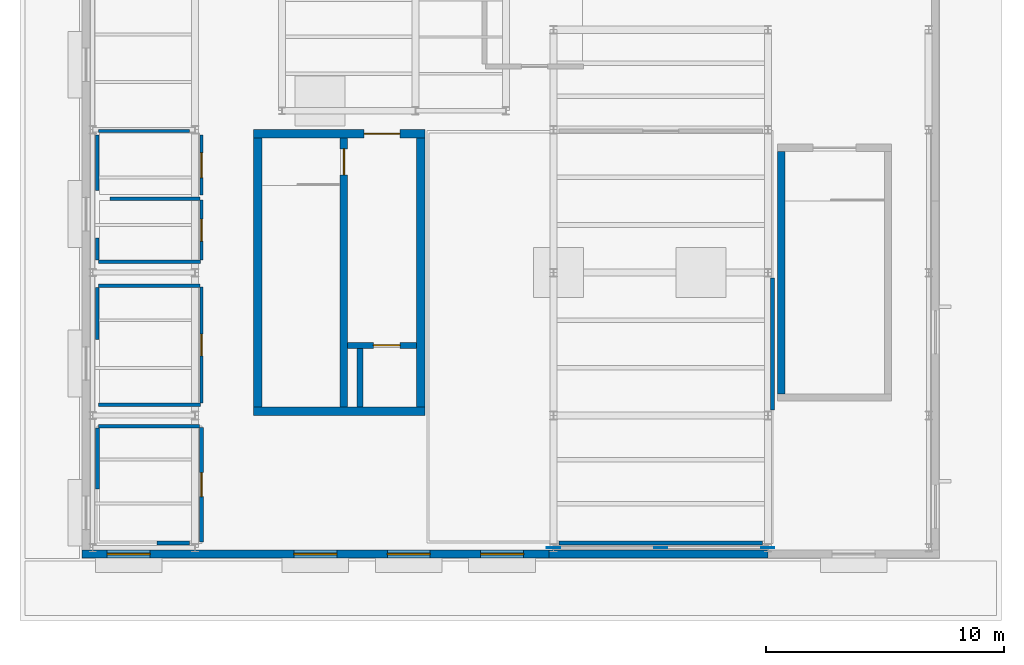
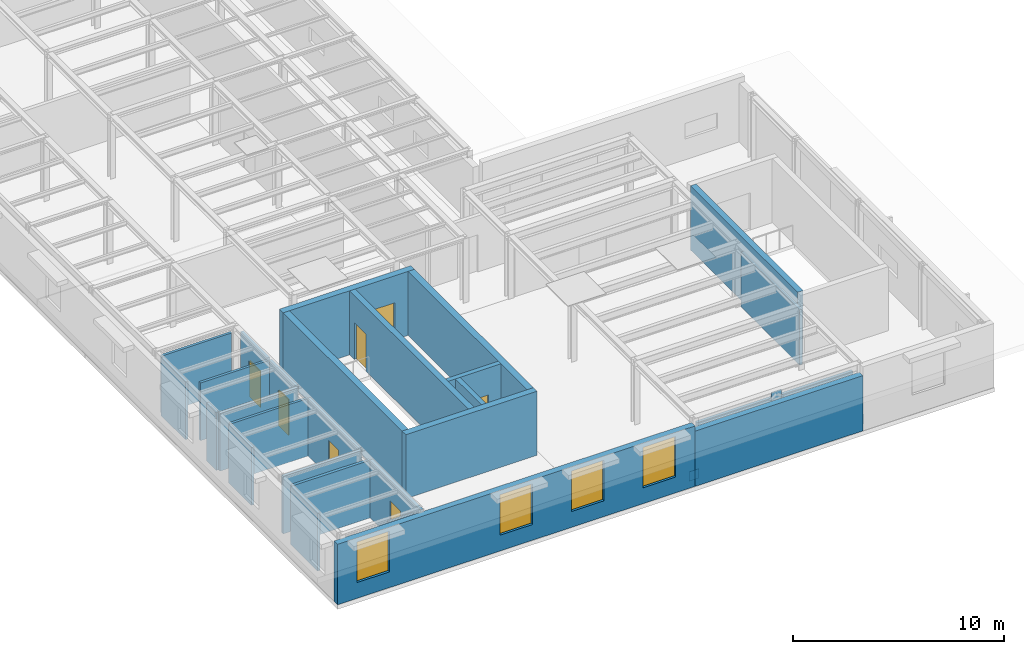
# One storey, part 7 of 10: 27 walls, 7 doors, 4 windows, 3 plates, 11 openings.
"""IFC4 building model written with IfcOpenShell, lengths in metres."""

from ifc_helpers import new_model, si_unit, direction, frame, frame_2d, origin, origin_2d, place, context, subcontext, project, spatial, rectangle, extrude, material, layer, layer_set, type_object, element, fill, save


model = new_model("IFC4")

# Units and contexts
model_context = context("Model", 3, precision=1e-05, world=origin(), true_north=direction((0.0, 1.0)))
body_context = subcontext(model_context, "Body", "Model", "MODEL_VIEW")
ifc_project = project(units=[si_unit("LENGTHUNIT", "METRE"), si_unit("AREAUNIT", "SQUARE_METRE"), si_unit("VOLUMEUNIT", "CUBIC_METRE"), si_unit("PLANEANGLEUNIT", "RADIAN"), si_unit("MASSUNIT", "GRAM", prefix="KILO")], contexts=[model_context])

# Site, building, storey
site_placement = place(None, origin())
site = spatial("IfcSite", under=ifc_project, at=site_placement, CompositionType="ELEMENT")
building_placement = place(site_placement, origin())
building = spatial("IfcBuilding", under=site, at=building_placement, Name="Kolvaren Corner Interchange", CompositionType="ELEMENT")
storey_placement = place(building_placement, frame((0.0, 0.0, 18.75)))
storey = spatial("IfcBuildingStorey", under=building, at=storey_placement, Name="L05", CompositionType="ELEMENT", Elevation=18.75)

# Plates
ifc_material_1 = material(Name="Steel S355", Category="steel")
ifc_layer_1 = layer(ifc_material_1, 0.02490234375)
ifc_layer_set_1 = layer_set([ifc_layer_1], Name="Steel S355")
plate_type = type_object("IfcPlateType", Name="PL-GUSSET-25", PredefinedType="USERDEFINED", material=ifc_layer_set_1)
for number, where, z_axis, x_axis, name in (
    (1, (19.800048828125, 0.449951171875, 0.06494140625), (0.0, 0.0, 1.0), (1.0, 0.0, 0.0), "Storey L05 Bolted Steel Gusset Plate 05 Base Left"),
    (2, (28.800048828125, 0.449951171875, 0.06494140625), (0.0, 0.0, 1.0), (1.0, 0.0, 0.0), "Storey L05 Bolted Steel Gusset Plate 05 Base Right"),
    (3, (24.300048828125, 0.449951171875, 3.08984375), (0.0, 0.0, 1.0), (1.0, 0.0, 0.0), "Storey L05 Bolted Steel Gusset Plate 05 Apex"),
):
    element("IfcPlate", number, at=place(storey_placement, frame(where, z_axis=z_axis, x_axis=x_axis)), inside=storey, type_object=plate_type, Name=name, ObjectType="GUSSET PLATE", PredefinedType="USERDEFINED", context=body_context, shape_type="SweptSolid", body=[
        extrude(rectangle(XDim=0.550048828125, YDim=0.02490234375, at=origin_2d()), origin(), (0.0, 0.0, 1.0), 0.550048828125),
    ])

# Wall
ifc_material_2 = material(Name="Concrete C35/45", Category="concrete")
ifc_layer_2 = layer(ifc_material_2, 0.35009765625)
ifc_layer_set_2 = layer_set([ifc_layer_2], Name="Concrete C35/45")
wall_type_1 = type_object("IfcWallType", Name="WL-CORE-350", PredefinedType="SHEAR", material=ifc_layer_set_2)
wall_1_placement = place(storey_placement, frame((7.199951171875, 6.175048828125, 0.0), z_axis=(0.0, 0.0, 1.0), x_axis=(1.0, 0.0, 0.0)))
element("IfcWall", 4, at=wall_1_placement, inside=storey, type_object=wall_type_1, Name="Core C1 L05 South Shear Wall", PredefinedType="SHEAR", context=body_context, shape_type="SweptSolid", body=[
    extrude(rectangle(XDim=7.199951171875, YDim=0.35009765625, at=frame_2d((3.60009765625, 0.0))), origin(), (0.0, 0.0, 1.0), 3.7099609375),
])

# Wall, opening, door
wall_2_placement = place(storey_placement, frame((7.199951171875, 17.824951171875, 0.0), z_axis=(0.0, 0.0, 1.0), x_axis=(1.0, 0.0, 0.0)))
wall_2 = element("IfcWall", 5, at=wall_2_placement, inside=storey, type_object=wall_type_1, Name="Core C1 L05 North Shear Wall", PredefinedType="SHEAR", context=body_context, shape_type="SweptSolid", body=[
    extrude(rectangle(XDim=7.199951171875, YDim=0.35009765625, at=frame_2d((3.60009765625, 0.0))), origin(), (0.0, 0.0, 1.0), 3.7099609375),
])
opening_1_placement = place(wall_2_placement, frame((4.64990234375, 0.0, 0.0)))
opening_1 = element("IfcOpeningElement", 6, at=opening_1_placement, cuts=wall_2, Name="Opening D-F02", PredefinedType="OPENING", context=body_context, shape_type="SweptSolid", body=[
    extrude(rectangle(XDim=1.5, YDim=2.14990234375, at=frame_2d((0.75, 1.074951171875))), frame((0.0, 0.18505859375, 0.0), z_axis=(0.0, -1.0, 0.0), x_axis=(1.0, 0.0, 0.0)), (0.0, 0.0, 1.0), 0.3701171875),
])
ifc_material_3 = material(Name="Powder-coated Fire-rated Steel Sheet", Category="steel")
door_type_1 = type_object("IfcDoorType", Name="DT-FD-1500x2150", OperationType="NOTDEFINED", PredefinedType="DOOR", material=ifc_material_3)
door_1_placement = place(opening_1_placement, origin())
door_1 = element("IfcDoor", 7, at=door_1_placement, inside=storey, type_object=door_type_1, Name="Core C1 L05 Firefighting Lobby Corridor Exit Door", OperationType="DOUBLE_DOOR_SINGLE_SWING", OverallHeight=2.14990234375, OverallWidth=1.5, PredefinedType="DOOR", context=body_context, shape_type="SweptSolid", body=[
    extrude(rectangle(XDim=1.5, YDim=2.14990234375, at=frame_2d((0.75, 1.074951171875))), frame((0.0, 0.02490234375, 0.0), z_axis=(0.0, -1.0, 0.0), x_axis=(1.0, 0.0, 0.0)), (0.0, 0.0, 1.0), 0.050048828125),
])
fill(opening_1, door_1)

# Walls
for number, where, z_axis, x_axis, name in (
    (8, (7.375, 6.35009765625, 0.0), (0.0, 0.0, 1.0), (0.0, 1.0, 0.0), "Core C1 L05 West Shear Wall"),
    (9, (14.22509765625, 6.35009765625, 0.0), (0.0, 0.0, 1.0), (0.0, 1.0, 0.0), "Core C1 L05 East Shear Wall"),
):
    element("IfcWall", number, at=place(storey_placement, frame(where, z_axis=z_axis, x_axis=x_axis)), inside=storey, type_object=wall_type_1, Name=name, PredefinedType="SHEAR", context=body_context, shape_type="SweptSolid", body=[
        extrude(rectangle(XDim=11.2998046875, YDim=0.35009765625, at=frame_2d((5.64990234375, 0.0))), origin(), (0.0, 0.0, 1.0), 3.7099609375),
    ])

# Wall, opening, door
ifc_material_4 = material(Name="Concrete C35/45", Category="concrete")
ifc_layer_3 = layer(ifc_material_4, 0.31005859375)
ifc_layer_set_3 = layer_set([ifc_layer_3], Name="Concrete C35/45")
wall_type_2 = type_object("IfcWallType", Name="WL-STAIR-300", PredefinedType="SHEAR", material=ifc_layer_set_3)
wall_3_placement = place(storey_placement, frame((11.0, 6.35009765625, 0.0), z_axis=(0.0, 0.0, 1.0), x_axis=(0.0, 1.0, 0.0)))
wall_3 = element("IfcWall", 10, at=wall_3_placement, inside=storey, type_object=wall_type_2, Name="Core C1 L05 Firefighting Stairwell Divider Wall", PredefinedType="SHEAR", context=body_context, shape_type="SweptSolid", body=[
    extrude(rectangle(XDim=11.2998046875, YDim=0.31005859375, at=frame_2d((5.64990234375, 0.0))), origin(), (0.0, 0.0, 1.0), 3.7099609375),
])
opening_2_placement = place(wall_3_placement, frame((9.75, 0.0, 0.0)))
opening_2 = element("IfcOpeningElement", 11, at=opening_2_placement, cuts=wall_3, Name="Opening D-F03", PredefinedType="OPENING", context=body_context, shape_type="SweptSolid", body=[
    extrude(rectangle(XDim=1.10009765625, YDim=2.14990234375, at=frame_2d((0.550048828125, 1.074951171875))), frame((0.0, 0.1650390625, 0.0), z_axis=(0.0, -1.0, 0.0), x_axis=(1.0, 0.0, 0.0)), (0.0, 0.0, 1.0), 0.330078125),
])
ifc_material_5 = material(Name="Powder-coated Fire-rated Steel Sheet", Category="steel")
door_type_2 = type_object("IfcDoorType", Name="DT-FD-1100x2150", OperationType="NOTDEFINED", PredefinedType="DOOR", material=ifc_material_5)
door_2_placement = place(opening_2_placement, origin())
door_2 = element("IfcDoor", 12, at=door_2_placement, inside=storey, type_object=door_type_2, Name="Core C1 Southwest Firefighting Stair L05 Protected Exit Door", OperationType="SINGLE_SWING_LEFT", OverallHeight=2.14990234375, OverallWidth=1.10009765625, PredefinedType="DOOR", context=body_context, shape_type="SweptSolid", body=[
    extrude(rectangle(XDim=1.10009765625, YDim=2.14990234375, at=frame_2d((0.550048828125, 1.074951171875))), frame((0.0, 0.02490234375, 0.0), z_axis=(0.0, -1.0, 0.0), x_axis=(1.0, 0.0, 0.0)), (0.0, 0.0, 1.0), 0.050048828125),
])
fill(opening_2, door_2)

# Wall
wall_4_placement = place(storey_placement, frame((29.35498046875, 6.909912109375, 0.0), z_axis=(0.0, 0.0, 1.0), x_axis=(0.0, 1.0, 0.0)))
element("IfcWall", 13, at=wall_4_placement, inside=storey, type_object=wall_type_2, Name="Operations South Bar Protected Exit Stair L05 West Enclosure Wall", PredefinedType="SHEAR", context=body_context, shape_type="SweptSolid", body=[
    extrude(rectangle(XDim=10.18017578125, YDim=0.31005859375, at=frame_2d((5.090087890625, 0.0))), origin(), (0.0, 0.0, 1.0), 3.7099609375),
])

# Wall, openings, windows
ifc_material_6 = material(Name="Cream Architectural Terracotta Rainscreen Assembly", Category="masonry")
ifc_layer_4 = layer(ifc_material_6, 0.330078125)
ifc_layer_set_4 = layer_set([ifc_layer_4], Name="Cream Architectural Terracotta Rainscreen Assembly")
wall_type_3 = type_object("IfcWallType", Name="WT-EXT-TC320", PredefinedType="SOLIDWALL", material=ifc_layer_set_4)
wall_5_placement = place(storey_placement, frame((0.0, 0.179931640625, 0.0), z_axis=(0.0, 0.0, 1.0), x_axis=(1.0, 0.0, 0.0)))
wall_5 = element("IfcWall", 14, at=wall_5_placement, inside=storey, type_object=wall_type_3, Name="Operations Boulevard South Facade Wall 0049", PredefinedType="SOLIDWALL", context=body_context, shape_type="SweptSolid", body=[
    extrude(rectangle(XDim=19.60009765625, YDim=0.330078125, at=frame_2d((9.800048828125, 0.0))), origin(), (0.0, 0.0, 1.0), 3.5048828125),
])
opening_3_placement = place(wall_5_placement, frame((1.06005859375, 0.0, 0.9150390625)))
opening_3 = element("IfcOpeningElement", 15, at=opening_3_placement, cuts=wall_5, Name="Opening W-03", PredefinedType="OPENING", context=body_context, shape_type="SweptSolid", body=[
    extrude(rectangle(XDim=1.800048828125, YDim=2.35009765625, at=frame_2d((0.89990234375, 1.175048828125))), frame((0.0, 0.175048828125, 0.0), z_axis=(0.0, -1.0, 0.0), x_axis=(1.0, 0.0, 0.0)), (0.0, 0.0, 1.0), 0.35009765625),
])
opening_4_placement = place(wall_5_placement, frame((8.89990234375, 0.0, 0.9150390625)))
opening_4 = element("IfcOpeningElement", 16, at=opening_4_placement, cuts=wall_5, Name="Opening W-03", PredefinedType="OPENING", context=body_context, shape_type="SweptSolid", body=[
    extrude(rectangle(XDim=1.800048828125, YDim=2.35009765625, at=frame_2d((0.89990234375, 1.175048828125))), frame((0.0, 0.175048828125, 0.0), z_axis=(0.0, -1.0, 0.0), x_axis=(1.0, 0.0, 0.0)), (0.0, 0.0, 1.0), 0.35009765625),
])
opening_5_placement = place(wall_5_placement, frame((12.820068359375, 0.0, 0.9150390625)))
opening_5 = element("IfcOpeningElement", 17, at=opening_5_placement, cuts=wall_5, Name="Opening W-03", PredefinedType="OPENING", context=body_context, shape_type="SweptSolid", body=[
    extrude(rectangle(XDim=1.800048828125, YDim=2.35009765625, at=frame_2d((0.89990234375, 1.175048828125))), frame((0.0, 0.175048828125, 0.0), z_axis=(0.0, -1.0, 0.0), x_axis=(1.0, 0.0, 0.0)), (0.0, 0.0, 1.0), 0.35009765625),
])
opening_6_placement = place(wall_5_placement, frame((16.739990234375, 0.0, 0.9150390625)))
opening_6 = element("IfcOpeningElement", 18, at=opening_6_placement, cuts=wall_5, Name="Opening W-03", PredefinedType="OPENING", context=body_context, shape_type="SweptSolid", body=[
    extrude(rectangle(XDim=1.800048828125, YDim=2.35009765625, at=frame_2d((0.89990234375, 1.175048828125))), frame((0.0, 0.175048828125, 0.0), z_axis=(0.0, -1.0, 0.0), x_axis=(1.0, 0.0, 0.0)), (0.0, 0.0, 1.0), 0.35009765625),
])
ifc_material_7 = material(Name="Thermally Broken Aluminium and Solar-Control Double Glazing", Category="aluminium")
window_type = type_object("IfcWindowType", Name="WT-CHI-1800x2400", PartitioningType="DOUBLE_PANEL_VERTICAL", PredefinedType="WINDOW", material=ifc_material_7)
window_1_placement = place(opening_3_placement, origin())
window_1 = element("IfcWindow", 19, at=window_1_placement, inside=storey, type_object=window_type, Name="L05 Operations Boulevard South Facade Window 0118", OverallHeight=2.35009765625, OverallWidth=1.800048828125, PartitioningType="SINGLE_PANEL", PredefinedType="WINDOW", context=body_context, shape_type="SweptSolid", body=[
    extrude(rectangle(XDim=1.800048828125, YDim=2.35009765625, at=frame_2d((0.89990234375, 1.175048828125))), frame((0.0, 0.030029296875, 0.0), z_axis=(0.0, -1.0, 0.0), x_axis=(1.0, 0.0, 0.0)), (0.0, 0.0, 1.0), 0.06005859375),
])
fill(opening_3, window_1)
window_2_placement = place(opening_4_placement, origin())
window_2 = element("IfcWindow", 20, at=window_2_placement, inside=storey, type_object=window_type, Name="L05 Operations Boulevard South Facade Window 0119", OverallHeight=2.35009765625, OverallWidth=1.800048828125, PartitioningType="SINGLE_PANEL", PredefinedType="WINDOW", context=body_context, shape_type="SweptSolid", body=[
    extrude(rectangle(XDim=1.800048828125, YDim=2.35009765625, at=frame_2d((0.89990234375, 1.175048828125))), frame((0.0, 0.030029296875, 0.0), z_axis=(0.0, -1.0, 0.0), x_axis=(1.0, 0.0, 0.0)), (0.0, 0.0, 1.0), 0.06005859375),
])
fill(opening_4, window_2)
window_3_placement = place(opening_5_placement, origin())
window_3 = element("IfcWindow", 21, at=window_3_placement, inside=storey, type_object=window_type, Name="L05 Operations Boulevard South Facade Window 0120", OverallHeight=2.35009765625, OverallWidth=1.800048828125, PartitioningType="SINGLE_PANEL", PredefinedType="WINDOW", context=body_context, shape_type="SweptSolid", body=[
    extrude(rectangle(XDim=1.800048828125, YDim=2.35009765625, at=frame_2d((0.89990234375, 1.175048828125))), frame((0.0, 0.030029296875, 0.0), z_axis=(0.0, -1.0, 0.0), x_axis=(1.0, 0.0, 0.0)), (0.0, 0.0, 1.0), 0.06005859375),
])
fill(opening_5, window_3)
window_4_placement = place(opening_6_placement, origin())
window_4 = element("IfcWindow", 22, at=window_4_placement, inside=storey, type_object=window_type, Name="L05 Operations Boulevard South Facade Window 0121", OverallHeight=2.35009765625, OverallWidth=1.800048828125, PartitioningType="SINGLE_PANEL", PredefinedType="WINDOW", context=body_context, shape_type="SweptSolid", body=[
    extrude(rectangle(XDim=1.800048828125, YDim=2.35009765625, at=frame_2d((0.89990234375, 1.175048828125))), frame((0.0, 0.030029296875, 0.0), z_axis=(0.0, -1.0, 0.0), x_axis=(1.0, 0.0, 0.0)), (0.0, 0.0, 1.0), 0.06005859375),
])
fill(opening_6, window_4)

# Walls
wall_6_placement = place(storey_placement, frame((19.60009765625, 0.179931640625, 0.0), z_axis=(0.0, 0.0, 1.0), x_axis=(1.0, 0.0, 0.0)))
element("IfcWall", 23, at=wall_6_placement, inside=storey, type_object=wall_type_3, Name="Operations Boulevard South Facade Wall 0050", PredefinedType="SOLIDWALL", context=body_context, shape_type="SweptSolid", body=[
    extrude(rectangle(XDim=9.199951171875, YDim=0.330078125, at=frame_2d((4.60009765625, 0.0))), origin(), (0.0, 0.0, 1.0), 3.205078125),
])
ifc_material_8 = material(Name="Acoustic Double-Stud Drywall Partition")
ifc_layer_5 = layer(ifc_material_8, 0.159912109375)
ifc_layer_set_5 = layer_set([ifc_layer_5], Name="Acoustic Double-Stud Drywall Partition")
wall_type_4 = type_object("IfcWallType", Name="WT-PART-AC160", PredefinedType="PARTITIONING", material=ifc_layer_set_5)
wall_7_placement = place(storey_placement, frame((20.030029296875, 0.64990234375, 0.0), z_axis=(0.0, 0.0, 1.0), x_axis=(1.0, 0.0, 0.0)))
element("IfcWall", 24, at=wall_7_placement, inside=storey, type_object=wall_type_4, Name="L05 Intermodal Operations Control Room Partition Wall 185", PredefinedType="PARTITIONING", context=body_context, shape_type="SweptSolid", body=[
    extrude(rectangle(XDim=8.5400390625, YDim=0.159912109375, at=frame_2d((4.27001953125, 0.0))), origin(), (0.0, 0.0, 1.0), 3.205078125),
])
wall_8_placement = place(storey_placement, frame((29.0, 6.22998046875, 0.0), z_axis=(0.0, 0.0, 1.0), x_axis=(0.0, 1.0, 0.0)))
element("IfcWall", 25, at=wall_8_placement, inside=storey, type_object=wall_type_4, Name="L05 Intermodal Operations Control Room Partition Wall 186", PredefinedType="PARTITIONING", context=body_context, shape_type="SweptSolid", body=[
    extrude(rectangle(XDim=5.5400390625, YDim=0.159912109375, at=frame_2d((2.77001953125, 0.0))), origin(), (0.0, 0.0, 1.0), 3.205078125),
])
wall_9_placement = place(storey_placement, frame((3.159912109375, 0.64990234375, 0.0), z_axis=(0.0, 0.0, 1.0), x_axis=(1.0, 0.0, 0.0)))
element("IfcWall", 26, at=wall_9_placement, inside=storey, type_object=wall_type_4, Name="L05 Silver Incident Command Suite Partition Wall 191", PredefinedType="PARTITIONING", context=body_context, shape_type="SweptSolid", body=[
    extrude(rectangle(XDim=1.360107421875, YDim=0.159912109375, at=frame_2d((0.68017578125, 0.0))), origin(), (0.0, 0.0, 1.0), 3.344970703125),
])

# Wall, opening, door
wall_10_placement = place(storey_placement, frame((5.02001953125, 0.699951171875, 0.0), z_axis=(0.0, 0.0, 1.0), x_axis=(0.0, 1.0, 0.0)))
wall_10 = element("IfcWall", 27, at=wall_10_placement, inside=storey, type_object=wall_type_4, Name="L05 Silver Incident Command Suite Partition Wall 192", PredefinedType="PARTITIONING", context=body_context, shape_type="SweptSolid", body=[
    extrude(rectangle(XDim=4.800048828125, YDim=0.159912109375, at=frame_2d((2.39990234375, 0.0))), origin(), (0.0, 0.0, 1.0), 3.344970703125),
])
opening_7_placement = place(wall_10_placement, frame((1.89990234375, 0.0, 0.0)))
opening_7 = element("IfcOpeningElement", 28, at=opening_7_placement, cuts=wall_10, Name="Opening D-F04", PredefinedType="OPENING", context=body_context, shape_type="SweptSolid", body=[
    extrude(rectangle(XDim=1.0, YDim=2.14990234375, at=frame_2d((0.5, 1.074951171875))), frame((0.0, 0.08984375, 0.0), z_axis=(0.0, -1.0, 0.0), x_axis=(1.0, 0.0, 0.0)), (0.0, 0.0, 1.0), 0.179931640625),
])
ifc_material_9 = material(Name="Solid-Core Iroko Timber Fire Door", Category="wood")
door_type_3 = type_object("IfcDoorType", Name="DT-FD-1000x2150", OperationType="NOTDEFINED", PredefinedType="DOOR", material=ifc_material_9)
door_3_placement = place(opening_7_placement, origin())
door_3 = element("IfcDoor", 29, at=door_3_placement, inside=storey, type_object=door_type_3, Name="L05 Silver Incident Command Suite Door", OperationType="SINGLE_SWING_RIGHT", OverallHeight=2.14990234375, OverallWidth=1.0, PredefinedType="DOOR", context=body_context, shape_type="SweptSolid", body=[
    extrude(rectangle(XDim=1.0, YDim=2.14990234375, at=frame_2d((0.5, 1.074951171875))), frame((0.0, 0.02490234375, 0.0), z_axis=(0.0, -1.0, 0.0), x_axis=(1.0, 0.0, 0.0)), (0.0, 0.0, 1.0), 0.050048828125),
])
fill(opening_7, door_3)

# Walls
wall_11_placement = place(storey_placement, frame((4.93798828125, 5.550048828125, 0.0), z_axis=(0.0, 0.0, 1.0), x_axis=(-1.0, 0.0, 0.0)))
element("IfcWall", 30, at=wall_11_placement, inside=storey, type_object=wall_type_4, Name="L05 Silver Incident Command Suite Partition Wall 193", PredefinedType="PARTITIONING", context=body_context, shape_type="SweptSolid", body=[
    extrude(rectangle(XDim=4.238037109375, YDim=0.159912109375, at=frame_2d((2.119140625, 0.0))), origin(), (0.0, 0.0, 1.0), 3.344970703125),
])
wall_12_placement = place(storey_placement, frame((0.64990234375, 5.468017578125, 0.0), z_axis=(0.0, 0.0, 1.0), x_axis=(0.0, -1.0, 0.0)))
element("IfcWall", 31, at=wall_12_placement, inside=storey, type_object=wall_type_4, Name="L05 Silver Incident Command Suite Partition Wall 194", PredefinedType="PARTITIONING", context=body_context, shape_type="SweptSolid", body=[
    extrude(rectangle(XDim=2.554931640625, YDim=0.159912109375, at=frame_2d((1.27734375, 0.0))), origin(), (0.0, 0.0, 1.0), 3.344970703125),
])
ifc_material_10 = material(Name="Moisture-Resistant Ceramic Tile Partition")
ifc_layer_6 = layer(ifc_material_10, 0.139892578125)
ifc_layer_set_6 = layer_set([ifc_layer_6], Name="Moisture-Resistant Ceramic Tile Partition")
wall_type_5 = type_object("IfcWallType", Name="WT-PART-WC140", PredefinedType="PARTITIONING", material=ifc_layer_set_6)
wall_13_placement = place(storey_placement, frame((0.699951171875, 6.449951171875, 0.0), z_axis=(0.0, 0.0, 1.0), x_axis=(1.0, 0.0, 0.0)))
element("IfcWall", 32, at=wall_13_placement, inside=storey, type_object=wall_type_5, Name="L05 Male WC Partition Wall 202", PredefinedType="PARTITIONING", context=body_context, shape_type="SweptSolid", body=[
    extrude(rectangle(XDim=4.27001953125, YDim=0.139892578125, at=frame_2d((2.135009765625, 0.0))), origin(), (0.0, 0.0, 1.0), 3.344970703125),
])

# Wall, opening, door
wall_14_placement = place(storey_placement, frame((5.02001953125, 6.52197265625, 0.0), z_axis=(0.0, 0.0, 1.0), x_axis=(0.0, 1.0, 0.0)))
wall_14 = element("IfcWall", 33, at=wall_14_placement, inside=storey, type_object=wall_type_5, Name="L05 Male WC Partition Wall 203", PredefinedType="PARTITIONING", context=body_context, shape_type="SweptSolid", body=[
    extrude(rectangle(XDim=4.8779296875, YDim=0.139892578125, at=frame_2d((2.43896484375, 0.0))), origin(), (0.0, 0.0, 1.0), 3.344970703125),
])
opening_8_placement = place(wall_14_placement, frame((1.97900390625, 0.0, 0.0)))
opening_8 = element("IfcOpeningElement", 34, at=opening_8_placement, cuts=wall_14, Name="Opening D-I04", PredefinedType="OPENING", context=body_context, shape_type="SweptSolid", body=[
    extrude(rectangle(XDim=0.919921875, YDim=2.080078125, at=frame_2d((0.4599609375, 1.0400390625))), frame((0.0, 0.079833984375, 0.0), z_axis=(0.0, -1.0, 0.0), x_axis=(1.0, 0.0, 0.0)), (0.0, 0.0, 1.0), 0.159912109375),
])
ifc_material_11 = material(Name="Moisture-Resistant Laminate Timber Door", Category="wood")
door_type_4 = type_object("IfcDoorType", Name="DT-WC-920x2100", OperationType="NOTDEFINED", PredefinedType="DOOR", material=ifc_material_11)
door_4_placement = place(opening_8_placement, origin())
door_4 = element("IfcDoor", 35, at=door_4_placement, inside=storey, type_object=door_type_4, Name="L05 Male WC Door", OperationType="SINGLE_SWING_RIGHT", OverallHeight=2.080078125, OverallWidth=0.919921875, PredefinedType="DOOR", context=body_context, shape_type="SweptSolid", body=[
    extrude(rectangle(XDim=0.919921875, YDim=2.080078125, at=frame_2d((0.4599609375, 1.0400390625))), frame((0.0, 0.02490234375, 0.0), z_axis=(0.0, -1.0, 0.0), x_axis=(1.0, 0.0, 0.0)), (0.0, 0.0, 1.0), 0.050048828125),
])
fill(opening_8, door_4)

# Walls
wall_15_placement = place(storey_placement, frame((4.947998046875, 11.449951171875, 0.0), z_axis=(0.0, 0.0, 1.0), x_axis=(-1.0, 0.0, 0.0)))
element("IfcWall", 36, at=wall_15_placement, inside=storey, type_object=wall_type_5, Name="L05 Male WC Partition Wall 204", PredefinedType="PARTITIONING", context=body_context, shape_type="SweptSolid", body=[
    extrude(rectangle(XDim=4.248046875, YDim=0.139892578125, at=frame_2d((2.1240234375, 0.0))), origin(), (0.0, 0.0, 1.0), 3.344970703125),
])
wall_16_placement = place(storey_placement, frame((0.64990234375, 11.3779296875, 0.0), z_axis=(0.0, 0.0, 1.0), x_axis=(0.0, -1.0, 0.0)))
element("IfcWall", 37, at=wall_16_placement, inside=storey, type_object=wall_type_5, Name="L05 Male WC Partition Wall 205", PredefinedType="PARTITIONING", context=body_context, shape_type="SweptSolid", body=[
    extrude(rectangle(XDim=2.192626953125, YDim=0.139892578125, at=frame_2d((1.09619140625, 0.0))), origin(), (0.0, 0.0, 1.0), 3.344970703125),
])
wall_17_placement = place(storey_placement, frame((0.699951171875, 12.449951171875, 0.0), z_axis=(0.0, 0.0, 1.0), x_axis=(1.0, 0.0, 0.0)))
element("IfcWall", 38, at=wall_17_placement, inside=storey, type_object=wall_type_5, Name="L05 Female WC Partition Wall 206", PredefinedType="PARTITIONING", context=body_context, shape_type="SweptSolid", body=[
    extrude(rectangle(XDim=4.27001953125, YDim=0.139892578125, at=frame_2d((2.135009765625, 0.0))), origin(), (0.0, 0.0, 1.0), 3.344970703125),
])

# Wall, opening, door
wall_18_placement = place(storey_placement, frame((5.02001953125, 12.52197265625, 0.0), z_axis=(0.0, 0.0, 1.0), x_axis=(0.0, 1.0, 0.0)))
wall_18 = element("IfcWall", 39, at=wall_18_placement, inside=storey, type_object=wall_type_5, Name="L05 Female WC Partition Wall 207", PredefinedType="PARTITIONING", context=body_context, shape_type="SweptSolid", body=[
    extrude(rectangle(XDim=2.528076171875, YDim=0.139892578125, at=frame_2d((1.26416015625, 0.0))), origin(), (0.0, 0.0, 1.0), 3.344970703125),
])
opening_9_placement = place(wall_18_placement, frame((0.803955078125, 0.0, 0.0)))
opening_9 = element("IfcOpeningElement", 40, at=opening_9_placement, cuts=wall_18, Name="Opening D-I04", PredefinedType="OPENING", context=body_context, shape_type="SweptSolid", body=[
    extrude(rectangle(XDim=0.919921875, YDim=2.080078125, at=frame_2d((0.4599609375, 1.0400390625))), frame((0.0, 0.079833984375, 0.0), z_axis=(0.0, -1.0, 0.0), x_axis=(1.0, 0.0, 0.0)), (0.0, 0.0, 1.0), 0.159912109375),
])
door_5_placement = place(opening_9_placement, origin())
door_5 = element("IfcDoor", 41, at=door_5_placement, inside=storey, type_object=door_type_4, Name="L05 Female WC Door", OperationType="SINGLE_SWING_LEFT", OverallHeight=2.080078125, OverallWidth=0.919921875, PredefinedType="DOOR", context=body_context, shape_type="SweptSolid", body=[
    extrude(rectangle(XDim=0.919921875, YDim=2.080078125, at=frame_2d((0.4599609375, 1.0400390625))), frame((0.0, 0.02490234375, 0.0), z_axis=(0.0, -1.0, 0.0), x_axis=(1.0, 0.0, 0.0)), (0.0, 0.0, 1.0), 0.050048828125),
])
fill(opening_9, door_5)

# Walls
wall_19_placement = place(storey_placement, frame((4.947998046875, 15.10009765625, 0.0), z_axis=(0.0, 0.0, 1.0), x_axis=(-1.0, 0.0, 0.0)))
element("IfcWall", 42, at=wall_19_placement, inside=storey, type_object=wall_type_5, Name="L05 Female WC Partition Wall 208", PredefinedType="PARTITIONING", context=body_context, shape_type="SweptSolid", body=[
    extrude(rectangle(XDim=3.778076171875, YDim=0.139892578125, at=frame_2d((1.88916015625, 0.0))), origin(), (0.0, 0.0, 1.0), 3.344970703125),
])
wall_20_placement = place(storey_placement, frame((0.64990234375, 13.457763671875, 0.0), z_axis=(0.0, 0.0, 1.0), x_axis=(0.0, -1.0, 0.0)))
element("IfcWall", 43, at=wall_20_placement, inside=storey, type_object=wall_type_5, Name="L05 Female WC Partition Wall 209", PredefinedType="PARTITIONING", context=body_context, shape_type="SweptSolid", body=[
    extrude(rectangle(XDim=0.935791015625, YDim=0.139892578125, at=frame_2d((0.4677734375, 0.0))), origin(), (0.0, 0.0, 1.0), 3.344970703125),
])

# Wall, opening, door
wall_21_placement = place(storey_placement, frame((5.02001953125, 15.25, 0.0), z_axis=(0.0, 0.0, 1.0), x_axis=(0.0, 1.0, 0.0)))
wall_21 = element("IfcWall", 44, at=wall_21_placement, inside=storey, type_object=wall_type_5, Name="L05 Accessible WC Partition Wall 210", PredefinedType="PARTITIONING", context=body_context, shape_type="SweptSolid", body=[
    extrude(rectangle(XDim=2.52001953125, YDim=0.139892578125, at=frame_2d((1.260009765625, 0.0))), origin(), (0.0, 0.0, 1.0), 3.344970703125),
])
opening_10_placement = place(wall_21_placement, frame((0.739990234375, 0.0, 0.0)))
opening_10 = element("IfcOpeningElement", 45, at=opening_10_placement, cuts=wall_21, Name="Opening D-I05", PredefinedType="OPENING", context=body_context, shape_type="SweptSolid", body=[
    extrude(rectangle(XDim=1.0400390625, YDim=2.10009765625, at=frame_2d((0.52001953125, 1.050048828125))), frame((0.0, 0.079833984375, 0.0), z_axis=(0.0, -1.0, 0.0), x_axis=(1.0, 0.0, 0.0)), (0.0, 0.0, 1.0), 0.159912109375),
])
ifc_material_12 = material(Name="Accessible Outward-Opening Timber Door", Category="wood")
door_type_5 = type_object("IfcDoorType", Name="DT-AWC-1040x2100", OperationType="NOTDEFINED", PredefinedType="DOOR", material=ifc_material_12)
door_6_placement = place(opening_10_placement, origin())
door_6 = element("IfcDoor", 46, at=door_6_placement, inside=storey, type_object=door_type_5, Name="L05 Accessible WC Door", OperationType="SINGLE_SWING_RIGHT", OverallHeight=2.10009765625, OverallWidth=1.0400390625, PredefinedType="DOOR", context=body_context, shape_type="SweptSolid", body=[
    extrude(rectangle(XDim=1.0400390625, YDim=2.10009765625, at=frame_2d((0.52001953125, 1.050048828125))), frame((0.0, 0.02490234375, 0.0), z_axis=(0.0, -1.0, 0.0), x_axis=(1.0, 0.0, 0.0)), (0.0, 0.0, 1.0), 0.050048828125),
])
fill(opening_10, door_6)

# Walls
wall_22_placement = place(storey_placement, frame((4.52001953125, 17.949951171875, 0.0), z_axis=(0.0, 0.0, 1.0), x_axis=(-1.0, 0.0, 0.0)))
element("IfcWall", 47, at=wall_22_placement, inside=storey, type_object=wall_type_5, Name="L05 Accessible WC Partition Wall 211", PredefinedType="PARTITIONING", context=body_context, shape_type="SweptSolid", body=[
    extrude(rectangle(XDim=3.820068359375, YDim=0.139892578125, at=frame_2d((1.91015625, 0.0))), origin(), (0.0, 0.0, 1.0), 3.344970703125),
])
wall_23_placement = place(storey_placement, frame((0.64990234375, 17.780029296875, 0.0), z_axis=(0.0, 0.0, 1.0), x_axis=(0.0, -1.0, 0.0)))
element("IfcWall", 48, at=wall_23_placement, inside=storey, type_object=wall_type_5, Name="L05 Accessible WC Partition Wall 212", PredefinedType="PARTITIONING", context=body_context, shape_type="SweptSolid", body=[
    extrude(rectangle(XDim=2.322265625, YDim=0.139892578125, at=frame_2d((1.1611328125, 0.0))), origin(), (0.0, 0.0, 1.0), 3.344970703125),
])

# Wall, opening, door
ifc_material_13 = material(Name="Concrete C35/45", Category="concrete")
ifc_layer_7 = layer(ifc_material_13, 0.25)
ifc_layer_set_7 = layer_set([ifc_layer_7], Name="Concrete C35/45")
wall_type_6 = type_object("IfcWallType", Name="WT-SHAFT-RC250", PredefinedType="SHEAR", material=ifc_layer_set_7)
wall_24_placement = place(storey_placement, frame((11.155029296875, 8.949951171875, 0.0), z_axis=(0.0, 0.0, 1.0), x_axis=(1.0, 0.0, 0.0)))
wall_24 = element("IfcWall", 49, at=wall_24_placement, inside=storey, type_object=wall_type_6, Name="Core C1 L05 Firefighting Lift Front Shaft Wall", PredefinedType="SHEAR", context=body_context, shape_type="SweptSolid", body=[
    extrude(rectangle(XDim=2.89501953125, YDim=0.25, at=frame_2d((1.447509765625, 0.0))), origin(), (0.0, 0.0, 1.0), 3.7099609375),
])
opening_11_placement = place(wall_24_placement, frame((1.0849609375, 0.0, 0.0)))
opening_11 = element("IfcOpeningElement", 50, at=opening_11_placement, cuts=wall_24, Name="Opening LD-LF-FF1-L05", PredefinedType="OPENING", context=body_context, shape_type="SweptSolid", body=[
    extrude(rectangle(XDim=1.1201171875, YDim=2.14990234375, at=frame_2d((0.56005859375, 1.074951171875))), frame((0.0, 0.135009765625, 0.0), z_axis=(0.0, -1.0, 0.0), x_axis=(1.0, 0.0, 0.0)), (0.0, 0.0, 1.0), 0.27001953125),
])
ifc_material_14 = material(Name="Brushed Stainless Steel Landing Door", Category="steel")
door_type_6 = type_object("IfcDoorType", Name="DT-LIFT-1120", OperationType="NOTDEFINED", PredefinedType="DOOR", material=ifc_material_14)
door_7_placement = place(opening_11_placement, origin())
door_7 = element("IfcDoor", 51, at=door_7_placement, inside=storey, type_object=door_type_6, Name="Firefighting Lift LF-FF1 L05 Sliding Landing Door", OperationType="SLIDING_TO_LEFT", OverallHeight=2.14990234375, OverallWidth=1.1201171875, PredefinedType="DOOR", context=body_context, shape_type="SweptSolid", body=[
    extrude(rectangle(XDim=1.1201171875, YDim=2.14990234375, at=frame_2d((0.56005859375, 1.074951171875))), frame((0.0, 0.02490234375, 0.0), z_axis=(0.0, -1.0, 0.0), x_axis=(1.0, 0.0, 0.0)), (0.0, 0.0, 1.0), 0.050048828125),
])
fill(opening_11, door_7)

# Wall
wall_25_placement = place(storey_placement, frame((11.675048828125, 6.35009765625, 0.0), z_axis=(0.0, 0.0, 1.0), x_axis=(0.0, 1.0, 0.0)))
element("IfcWall", 52, at=wall_25_placement, inside=storey, type_object=wall_type_6, Name="Core C1 L05 Firefighting Lift Side Shaft Wall", PredefinedType="SHEAR", context=body_context, shape_type="SweptSolid", body=[
    extrude(rectangle(XDim=2.474853515625, YDim=0.25, at=frame_2d((1.2373046875, 0.0))), origin(), (0.0, 0.0, 1.0), 3.7099609375),
])

save(model, "model.ifc")
